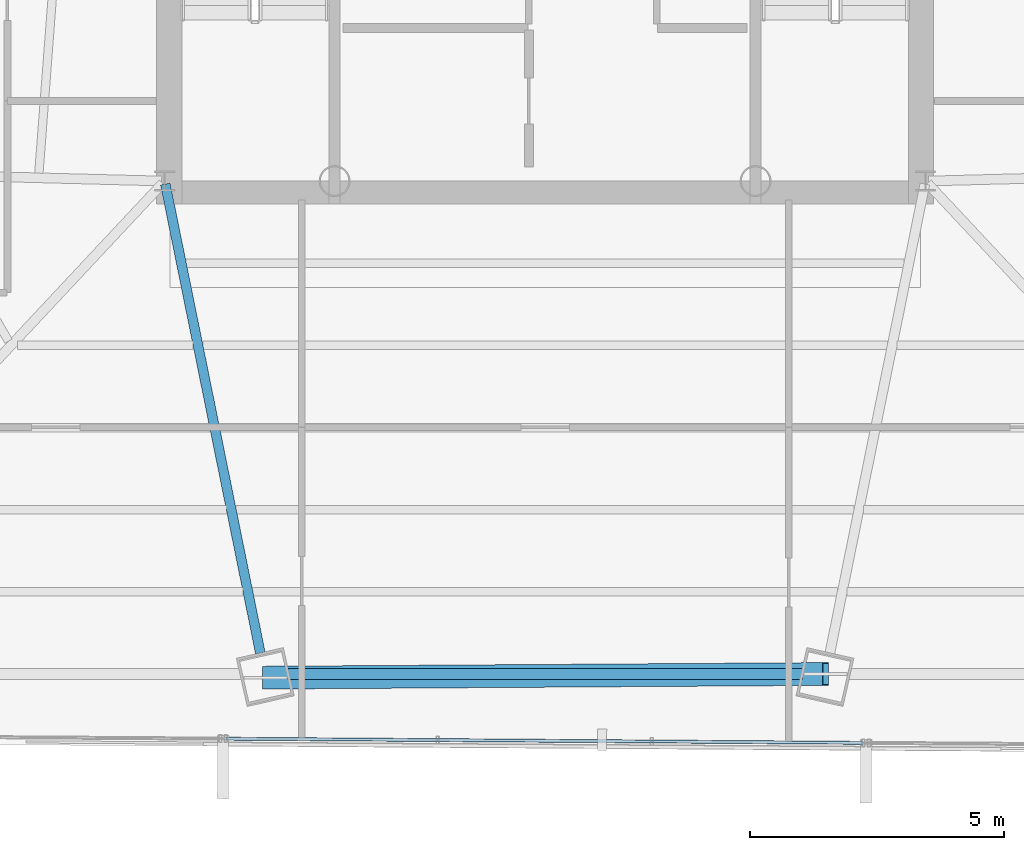
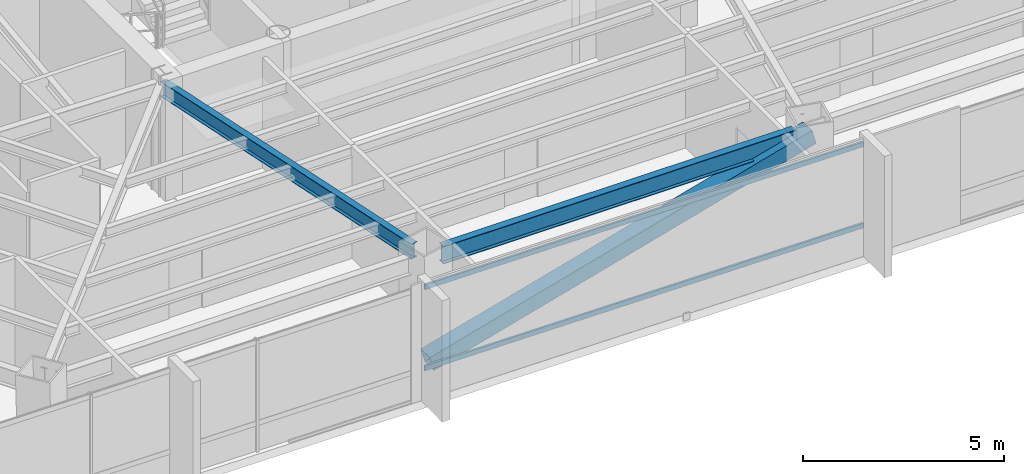
# One storey, part 9 of 41: 3 members, 2 beams, 1 element without a shape of its own.
"""IFC4 building model written with IfcOpenShell, lengths in metres."""

from ifc_helpers import new_model, si_unit, direction, frame, origin, origin_2d, place, context, subcontext, project, spatial, hollow_rectangle, i_section, extrude, source, transform, mapped, material, material_profile, profile_set, type_object, type_shapes, element, aggregate, save


model = new_model("IFC4")

# Units and contexts
model_context = context("Model", 3, precision=1e-05, world=origin(), true_north=direction((0.0, 1.0)))
body_context = subcontext(model_context, "Body", "Model", "MODEL_VIEW")
ifc_project = project(units=[si_unit("LENGTHUNIT", "METRE"), si_unit("AREAUNIT", "SQUARE_METRE"), si_unit("VOLUMEUNIT", "CUBIC_METRE"), si_unit("PLANEANGLEUNIT", "RADIAN"), si_unit("MASSUNIT", "GRAM", prefix="KILO")], contexts=[model_context])

# Site, building, storey
site_placement = place(None, origin())
site = spatial("IfcSite", under=ifc_project, at=site_placement, CompositionType="ELEMENT")
building_placement = place(site_placement, origin())
building = spatial("IfcBuilding", under=site, at=building_placement, Name="Caelisora Broadcast Tower", CompositionType="ELEMENT")
storey_placement = place(building_placement, frame((0.0, 0.0, 169.449951171875)))
storey = spatial("IfcBuildingStorey", under=building, at=storey_placement, Name="L44", CompositionType="ELEMENT", Elevation=169.449951171875)

# Beams
ifc_material_1 = material(Name="Steel Grade 350 (AS/NZS 3679.1)", Category="steel")
ifc_material_profile_1 = material_profile(ifc_material_1, i_section(OverallWidth=0.208984375, OverallDepth=0.532958984375, WebThickness=0.01025390625, FlangeThickness=0.015625, at=origin_2d()), Name="Steel Grade 350 (AS/NZS 3679.1)")
ifc_profile_set_1 = profile_set([ifc_material_profile_1], Name="Steel Grade 350 (AS/NZS 3679.1)")
beam_type_1 = type_object("IfcBeamType", Name="PG05", PredefinedType="BEAM", material=ifc_profile_set_1)
shared_shape_1 = source(origin(), body_context, "Body", "SweptSolid", [
    extrude(i_section(OverallWidth=0.208984375, OverallDepth=0.532958984375, WebThickness=0.01025390625, FlangeThickness=0.015625, at=origin_2d()), origin(), (0.0, 0.0, 1.0), 10.1416015625),
])
type_shapes(beam_type_1, [shared_shape_1])
beam_1_placement = place(storey_placement, frame((32.92919921875, 7.681884765625, 3.133544921875), z_axis=(1.0, 0.0, 0.0), x_axis=(0.0, 1.0, 0.0)))
element("IfcBeam", 1, at=beam_1_placement, inside=storey, type_object=beam_type_1, Name="L44 beam PG05", PredefinedType="BEAM", context=body_context, shape_type="MappedRepresentation", body=[
    mapped(shared_shape_1, transform((0.0, 0.0, 0.0), scale=1.0)),
])
ifc_material_profile_2 = material_profile(ifc_material_1, i_section(OverallWidth=0.19091796875, OverallDepth=0.46044921875, WebThickness=0.010009765625, FlangeThickness=0.01611328125, at=origin_2d()), Name="Steel Grade 350 (AS/NZS 3679.1)")
ifc_profile_set_2 = profile_set([ifc_material_profile_2], Name="Steel Grade 350 (AS/NZS 3679.1)")
beam_type_2 = type_object("IfcBeamType", Name="PG06", PredefinedType="BEAM", material=ifc_profile_set_2)
shared_shape_2 = source(origin(), body_context, "Body", "SweptSolid", [
    extrude(i_section(OverallWidth=0.19091796875, OverallDepth=0.46044921875, WebThickness=0.010009765625, FlangeThickness=0.01611328125, at=origin_2d()), origin(), (0.0, 0.0, 1.0), 9.435791015625),
])
type_shapes(beam_type_2, [shared_shape_2])
beam_2_placement = place(storey_placement, frame((30.511962890625, 17.34130859375, 3.169921875), z_axis=(0.198608355907, -0.980078936088, 0.0), x_axis=(0.980078936088, 0.198608355907, 0.0)))
element("IfcBeam", 2, at=beam_2_placement, inside=storey, type_object=beam_type_2, Name="L44 beam PG06", PredefinedType="BEAM", context=body_context, shape_type="MappedRepresentation", body=[
    mapped(shared_shape_2, transform((0.0, 0.0, 0.0), scale=1.0)),
])

# Member
ifc_material_2 = material(Name="Steel Grade 450 (AS/NZS 1163 C450L0)", Category="steel")
ifc_material_profile_3 = material_profile(ifc_material_2, hollow_rectangle(XDim=0.449951171875, YDim=0.449951171875, WallThickness=0.01611328125, at=origin_2d()), Name="Steel Grade 450 (AS/NZS 1163 C450L0)")
ifc_profile_set_3 = profile_set([ifc_material_profile_3], Name="Steel Grade 450 (AS/NZS 1163 C450L0)")
member_type_1 = type_object("IfcMemberType", Name="BR03", PredefinedType="BRACE", material=ifc_profile_set_3)
shared_shape_3 = source(origin(), body_context, "Body", "SweptSolid", [
    extrude(hollow_rectangle(XDim=0.449951171875, YDim=0.449951171875, WallThickness=0.01611328125, at=origin_2d()), origin(), (0.0, 0.0, 1.0), 11.445556640625),
])
type_shapes(member_type_1, [shared_shape_3])
member_1_placement = place(storey_placement, frame((32.485595703125, 7.609619140625, 0.10009765625), z_axis=(0.965017266597, 0.006313854931, 0.262110301982), x_axis=(-0.006542597748, 0.999978596978, 0.0)))
element("IfcMember", 3, at=member_1_placement, inside=storey, type_object=member_type_1, Name="L44 perimeter brace BR03", PredefinedType="BRACE", context=body_context, shape_type="MappedRepresentation", body=[
    mapped(shared_shape_3, transform((0.0, 0.0, 0.0), scale=1.0)),
])

# Curtain wall, members
ifc_material_3 = material(Name="Unitised Aluminium Insulated Shadow-Box Spandrel Curtain Wall", Category="aluminium")
curtain_wall_type = type_object("IfcCurtainWallType", Name="CW-SP2", PredefinedType="NOTDEFINED", material=ifc_material_3)
curtain_wall_placement = place(storey_placement, origin())
curtain_wall = element("IfcCurtainWall", 4, at=curtain_wall_placement, inside=storey, type_object=curtain_wall_type, Name="L44 curtain wall CW-SP2", PredefinedType="NOTDEFINED")
ifc_material_4 = material(Name="Aluminium 6063-T6 Anodised Terracotta Bronze", Category="aluminium")
ifc_material_profile_4 = material_profile(ifc_material_4, hollow_rectangle(XDim=0.06005859375, YDim=0.14990234375, WallThickness=0.00341796875, at=origin_2d()), Name="Aluminium 6063-T6 Anodised Terracotta Bronze")
ifc_profile_set_4 = profile_set([ifc_material_profile_4], Name="Aluminium 6063-T6 Anodised Terracotta Bronze")
member_type_2 = type_object("IfcMemberType", Name="CWT-02", PredefinedType="USERDEFINED", material=ifc_profile_set_4)
shared_shape_4 = source(origin(), body_context, "Body", "SweptSolid", [
    extrude(hollow_rectangle(XDim=0.06005859375, YDim=0.14990234375, WallThickness=0.00341796875, at=origin_2d()), origin(), (0.0, 0.0, 1.0), 12.568359375),
])
type_shapes(member_type_2, [shared_shape_4])
member_2_placement = place(storey_placement, frame((44.27587890625, 6.32421875, 0.85009765625), z_axis=(-0.999978445936, 0.006565642587, 0.0), x_axis=(-0.006565642587, -0.999978445936, 0.0)))
member_2 = element("IfcMember", 5, at=member_2_placement, type_object=member_type_2, Name="L44-CW-B06 transom #1", ObjectType="TRANSOM", PredefinedType="USERDEFINED", context=body_context, shape_type="MappedRepresentation", body=[
    mapped(shared_shape_4, transform((0.0, 0.0, 0.0), scale=1.0)),
])
member_3_placement = place(storey_placement, frame((44.27587890625, 6.32421875, 3.320068359375), z_axis=(-0.999978445936, 0.006565642587, 0.0), x_axis=(-0.006565642587, -0.999978445936, 0.0)))
member_3 = element("IfcMember", 6, at=member_3_placement, type_object=member_type_2, Name="L44-CW-B06 transom #2", ObjectType="TRANSOM", PredefinedType="USERDEFINED", context=body_context, shape_type="MappedRepresentation", body=[
    mapped(shared_shape_4, transform((0.0, 0.0, 0.0), scale=1.0)),
])
aggregate(curtain_wall, [member_2, member_3])

save(model, "model.ifc")
